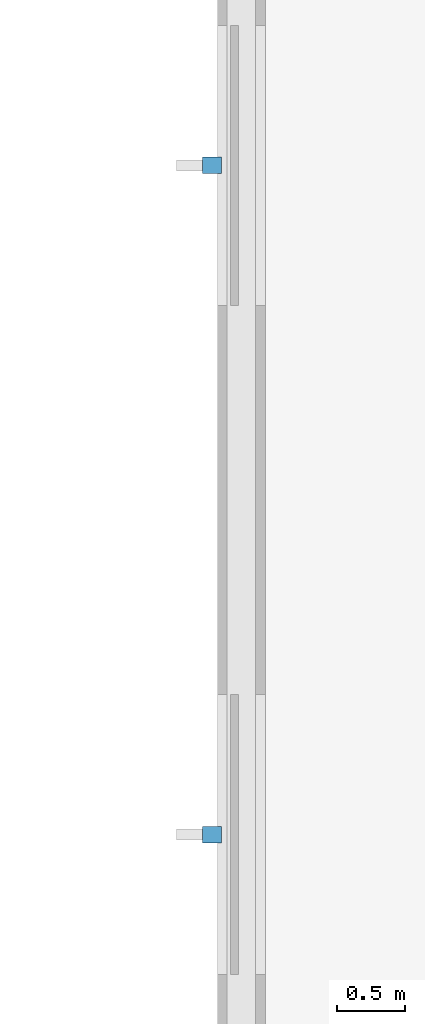
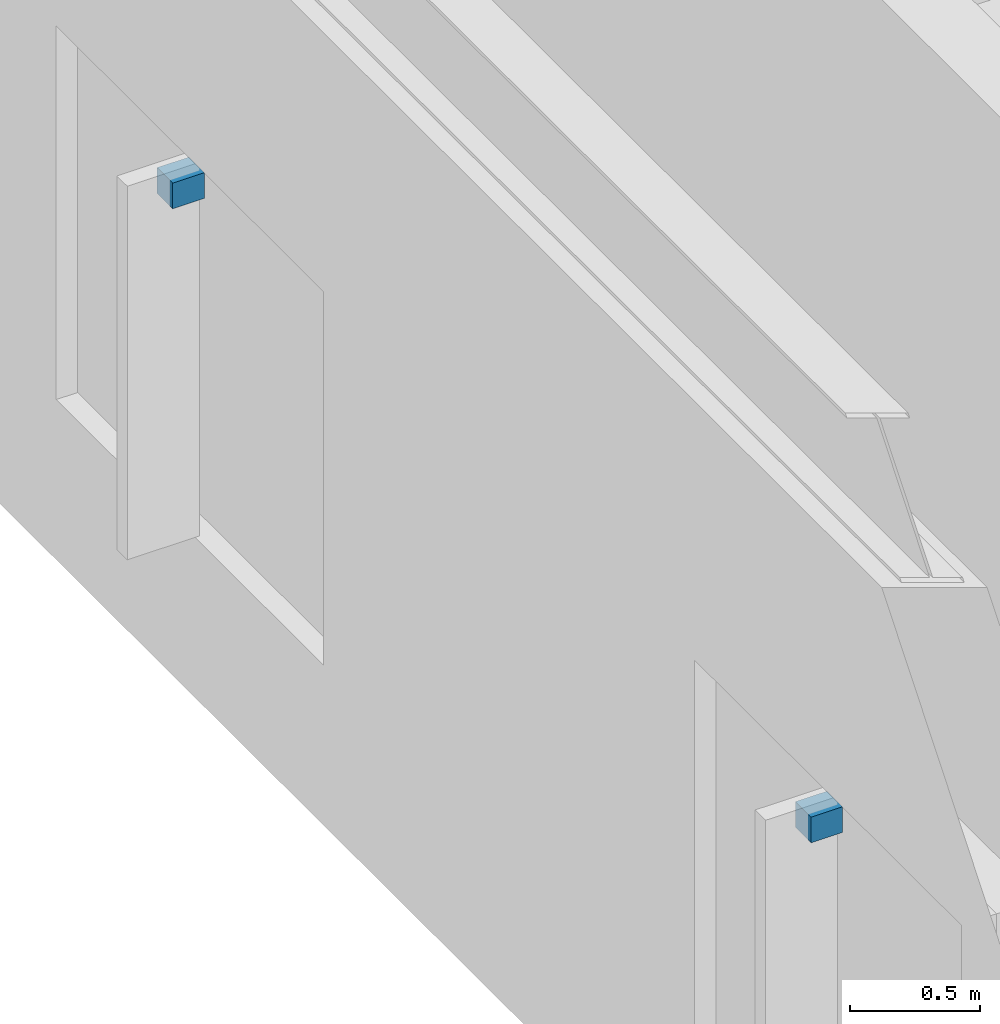
# One storey, part 44 of 48: 2 discrete accessories.
"""IFC4 building model written with IfcOpenShell, lengths in metres."""

from ifc_helpers import new_model, si_unit, direction, frame, origin, origin_2d, place, context, subcontext, project, spatial, rectangle, extrude, material, type_object, element, save


model = new_model("IFC4")

# Units and contexts
model_context = context("Model", 3, precision=1e-05, world=origin(), true_north=direction((0.0, 1.0)))
body_context = subcontext(model_context, "Body", "Model", "MODEL_VIEW")
ifc_project = project(units=[si_unit("LENGTHUNIT", "METRE"), si_unit("AREAUNIT", "SQUARE_METRE"), si_unit("VOLUMEUNIT", "CUBIC_METRE"), si_unit("PLANEANGLEUNIT", "RADIAN"), si_unit("MASSUNIT", "GRAM", prefix="KILO"), si_unit("POWERUNIT", "WATT"), si_unit("THERMODYNAMICTEMPERATUREUNIT", "KELVIN")], contexts=[model_context])

# Site, building, storey
site_placement = place(None, origin())
site = spatial("IfcSite", under=ifc_project, at=site_placement, CompositionType="ELEMENT")
building_placement = place(site_placement, origin())
building = spatial("IfcBuilding", under=site, at=building_placement, Name="Kelmbourne Parkland Aquatics Centre", CompositionType="ELEMENT")
storey_placement = place(building_placement, frame((0.0, 0.0, 14.699951171875)))
storey = spatial("IfcBuildingStorey", under=building, at=storey_placement, Name="L03", CompositionType="ELEMENT", Elevation=14.699951171875)

# Discrete accessories
ifc_material = material(Name="Hot-dip galvanised structural steel AS/NZS 4680", Category="steel")
discrete_accessory_type = type_object("IfcDiscreteAccessoryType", Name="ACC-BRK-1", PredefinedType="BRACKET", material=ifc_material)
for number, where, z_axis, x_axis, name in (
    (1, (127.784912109375, 106.326904296875, 2.340087890625), (0.0, 0.0, 1.0), (0.0, 1.0, 0.0), "Galvanised sunshade fixing bracket 192"),
    (2, (127.784912109375, 111.22509765625, 2.340087890625), (0.0, 0.0, 1.0), (0.0, 1.0, 0.0), "Galvanised sunshade fixing bracket 193"),
):
    element("IfcDiscreteAccessory", number, at=place(storey_placement, frame(where, z_axis=z_axis, x_axis=x_axis)), inside=storey, type_object=discrete_accessory_type, Name=name, PredefinedType="BRACKET", context=body_context, shape_type="SweptSolid", body=[
        extrude(rectangle(XDim=0.1201171875, YDim=0.139892578125, at=origin_2d()), origin(), (0.0, 0.0, 1.0), 0.1201171875),
    ])

save(model, "model.ifc")
